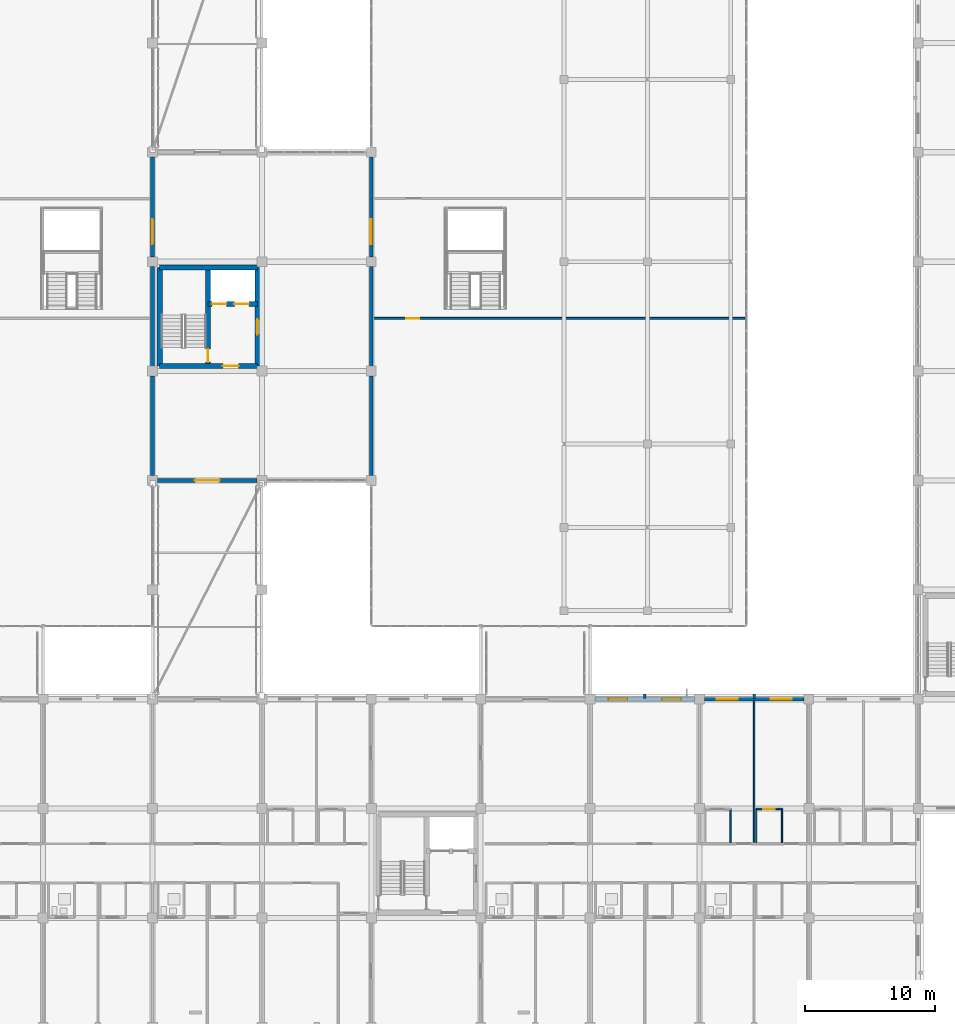
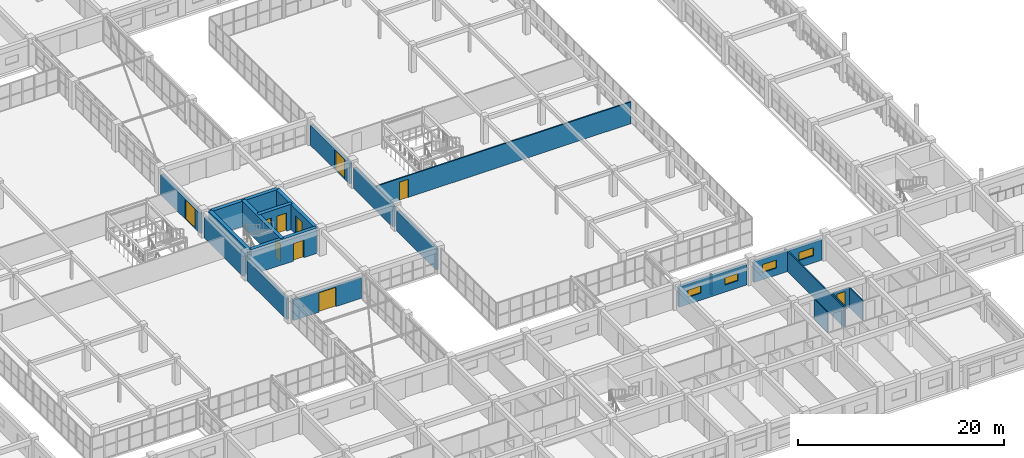
# One storey, part 171 of 200: 23 walls, 10 doors, 4 windows, 14 openings.
"""IFC4 building model written with IfcOpenShell, lengths in metres."""

from ifc_helpers import new_model, si_unit, direction, frame, frame_2d, origin, place, context, subcontext, project, spatial, rectangle, extrude, material, layer, layer_set, type_object, element, fill, save


model = new_model("IFC4")

# Units and contexts
model_context = context("Model", 3, precision=1e-05, world=origin(), true_north=direction((0.0, 1.0)))
body_context = subcontext(model_context, "Body", "Model", "MODEL_VIEW")
ifc_project = project(units=[si_unit("LENGTHUNIT", "METRE"), si_unit("AREAUNIT", "SQUARE_METRE"), si_unit("VOLUMEUNIT", "CUBIC_METRE"), si_unit("PLANEANGLEUNIT", "RADIAN"), si_unit("MASSUNIT", "GRAM", prefix="KILO")], contexts=[model_context])

# Site, building, storey
site_placement = place(None, origin())
site = spatial("IfcSite", under=ifc_project, at=site_placement, CompositionType="ELEMENT")
building_placement = place(site_placement, origin())
building = spatial("IfcBuilding", under=site, at=building_placement, Name="Trelvath General Hospital", CompositionType="ELEMENT")
storey_placement = place(building_placement, frame((0.0, 0.0, 4.800048828125)))
storey = spatial("IfcBuildingStorey", under=building, at=storey_placement, Name="L01", CompositionType="ELEMENT", Elevation=4.800048828125)

# Walls
ifc_material_1 = material(Name="Precast concrete C40/50", Category="concrete")
ifc_layer_1 = layer(ifc_material_1, 0.199951171875)
ifc_layer_set_1 = layer_set([ifc_layer_1], Name="Precast concrete C40/50")
wall_type_1 = type_object("IfcWallType", Name="BriseSoleilRib 200", PredefinedType="ELEMENTEDWALL", material=ifc_layer_set_1)
for number, where, z_axis, x_axis, name in (
    (1, (113.39990234375, 25.27490234375, 0.0), (0.0, 0.0, 1.0), (0.0, 1.0, 0.0), "Precast Concrete Brise-Soleil Rib Fin L01-120"),
    (2, (121.800048828125, 25.27490234375, 0.0), (0.0, 0.0, 1.0), (0.0, 1.0, 0.0), "Precast Concrete Brise-Soleil Rib Fin L01-124"),
):
    element("IfcWall", number, at=place(storey_placement, frame(where, z_axis=z_axis, x_axis=x_axis)), inside=storey, type_object=wall_type_1, Name=name, PredefinedType="ELEMENTEDWALL", context=body_context, shape_type="SweptSolid", body=[
        extrude(rectangle(XDim=0.340087890625, YDim=0.199951171875, at=frame_2d((0.169921875, 0.0))), origin(), (0.0, 0.0, 1.0), 2.39990234375),
    ])

# Wall, opening, door
ifc_material_2 = material(Name="Gypsum acoustic steel-stud partition", Category="steel")
ifc_layer_2 = layer(ifc_material_2, 0.14990234375)
ifc_layer_set_2 = layer_set([ifc_layer_2], Name="Gypsum acoustic steel-stud partition")
wall_type_2 = type_object("IfcWallType", Name="ClinicalPartition 150", PredefinedType="PARTITIONING", material=ifc_layer_set_2)
wall_1_placement = place(storey_placement, frame((92.5, 54.449951171875, 0.0), z_axis=(0.0, 0.0, 1.0), x_axis=(1.0, 0.0, 0.0)))
wall_1 = element("IfcWall", 3, at=wall_1_placement, inside=storey, type_object=wall_type_2, Name="Cube Clinic CUBE-E Partition L01-674", PredefinedType="PARTITIONING", context=body_context, shape_type="SweptSolid", body=[
    extrude(rectangle(XDim=28.60009765625, YDim=0.14990234375, at=frame_2d((14.300048828125, 0.0))), origin(), (0.0, 0.0, 1.0), 2.58984375),
])
opening_1_placement = place(wall_1_placement, frame((2.60009765625, 0.0, 0.0)))
opening_1 = element("IfcOpeningElement", 4, at=opening_1_placement, cuts=wall_1, Name="Opening DC-1-0624", PredefinedType="OPENING", context=body_context, shape_type="SweptSolid", body=[
    extrude(rectangle(XDim=1.0, YDim=2.14990234375, at=frame_2d((0.5, 1.074951171875))), frame((0.0, 0.0849609375, 0.0), z_axis=(0.0, -1.0, 0.0), x_axis=(1.0, 0.0, 0.0)), (0.0, 0.0, 1.0), 0.169921875),
])
ifc_material_3 = material(Name="Acoustic hospital timber leaf", Category="wood")
door_type_1 = type_object("IfcDoorType", Name="Door Consult 1000x2150", OperationType="NOTDEFINED", PredefinedType="DOOR", material=ifc_material_3)
door_1_placement = place(opening_1_placement, origin())
door_1 = element("IfcDoor", 5, at=door_1_placement, inside=storey, type_object=door_type_1, Name="Cube Clinic CUBE-E Door L01-624", OperationType="SINGLE_SWING_RIGHT", OverallHeight=2.14990234375, OverallWidth=1.0, PredefinedType="DOOR", context=body_context, shape_type="SweptSolid", body=[
    extrude(rectangle(XDim=1.0, YDim=2.14990234375, at=frame_2d((0.5, 1.074951171875))), frame((0.0, 0.02490234375, 0.0), z_axis=(0.0, -1.0, 0.0), x_axis=(1.0, 0.0, 0.0)), (0.0, 0.0, 1.0), 0.050048828125),
])
fill(opening_1, door_1)

ifc_material_4 = material(Name="Concrete C40/50", Category="concrete")
ifc_layer_3 = layer(ifc_material_4, 0.39990234375)
ifc_layer_set_3 = layer_set([ifc_layer_3], Name="Concrete C40/50")
wall_type_3 = type_object("IfcWallType", Name="CoreShearWall 400", PredefinedType="SHEAR", material=ifc_layer_set_3)
wall_2_placement = place(storey_placement, frame((76.14990234375, 50.800048828125, 0.0), z_axis=(0.0, 0.0, 1.0), x_axis=(1.0, 0.0, 0.0)))
wall_2 = element("IfcWall", 6, at=wall_2_placement, inside=storey, type_object=wall_type_3, Name="Core Shear Wall C6 S L01", PredefinedType="SHEAR", context=body_context, shape_type="SweptSolid", body=[
    extrude(rectangle(XDim=7.5, YDim=0.39990234375, at=frame_2d((3.75, 0.0))), origin(), (0.0, 0.0, 1.0), 3.02001953125),
])
opening_2_placement = place(wall_2_placement, frame((4.85009765625, 0.0, 0.0)))
opening_2 = element("IfcOpeningElement", 7, at=opening_2_placement, cuts=wall_2, Name="Opening FD-LS61", PredefinedType="OPENING", context=body_context, shape_type="SweptSolid", body=[
    extrude(rectangle(XDim=1.199951171875, YDim=2.10009765625, at=frame_2d((0.60009765625, 1.050048828125))), frame((0.0, 0.2099609375, 0.0), z_axis=(0.0, -1.0, 0.0), x_axis=(1.0, 0.0, 0.0)), (0.0, 0.0, 1.0), 0.419921875),
])
ifc_material_5 = material(Name="Fire-rated steel door", Category="steel")
door_type_2 = type_object("IfcDoorType", Name="Door FireLobby 1200x2100", OperationType="NOTDEFINED", PredefinedType="DOOR", material=ifc_material_5)
door_2_placement = place(opening_2_placement, origin())
door_2 = element("IfcDoor", 8, at=door_2_placement, inside=storey, type_object=door_type_2, Name="Fire Lobby South Concourse Door C6 L01", OperationType="SINGLE_SWING_RIGHT", OverallHeight=2.10009765625, OverallWidth=1.199951171875, PredefinedType="DOOR", context=body_context, shape_type="SweptSolid", body=[
    extrude(rectangle(XDim=1.199951171875, YDim=2.10009765625, at=frame_2d((0.60009765625, 1.050048828125))), frame((0.0, 0.02490234375, 0.0), z_axis=(0.0, -1.0, 0.0), x_axis=(1.0, 0.0, 0.0)), (0.0, 0.0, 1.0), 0.050048828125),
])
fill(opening_2, door_2)

# Walls
wall_3_placement = place(storey_placement, frame((76.14990234375, 58.35009765625, 0.0), z_axis=(0.0, 0.0, 1.0), x_axis=(1.0, 0.0, 0.0)))
element("IfcWall", 9, at=wall_3_placement, inside=storey, type_object=wall_type_3, Name="Core Shear Wall C6 N L01", PredefinedType="SHEAR", context=body_context, shape_type="SweptSolid", body=[
    extrude(rectangle(XDim=7.5, YDim=0.39990234375, at=frame_2d((3.75, 0.0))), origin(), (0.0, 0.0, 1.0), 3.02001953125),
])
wall_4_placement = place(storey_placement, frame((76.14990234375, 50.800048828125, 0.0), z_axis=(0.0, 0.0, 1.0), x_axis=(0.0, 1.0, 0.0)))
element("IfcWall", 10, at=wall_4_placement, inside=storey, type_object=wall_type_3, Name="Core Shear Wall C6 W L01", PredefinedType="SHEAR", context=body_context, shape_type="SweptSolid", body=[
    extrude(rectangle(XDim=7.550048828125, YDim=0.39990234375, at=frame_2d((3.77490234375, 0.0))), origin(), (0.0, 0.0, 1.0), 3.02001953125),
])

# Wall, opening, door
wall_5_placement = place(storey_placement, frame((83.64990234375, 50.800048828125, 0.0), z_axis=(0.0, 0.0, 1.0), x_axis=(0.0, 1.0, 0.0)))
wall_5 = element("IfcWall", 11, at=wall_5_placement, inside=storey, type_object=wall_type_3, Name="Core Shear Wall C6 E L01", PredefinedType="SHEAR", context=body_context, shape_type="SweptSolid", body=[
    extrude(rectangle(XDim=7.550048828125, YDim=0.39990234375, at=frame_2d((3.77490234375, 0.0))), origin(), (0.0, 0.0, 1.0), 3.02001953125),
])
opening_3_placement = place(wall_5_placement, frame((2.39990234375, 0.0, 0.0)))
opening_3 = element("IfcOpeningElement", 12, at=opening_3_placement, cuts=wall_5, Name="Opening FD-LE61", PredefinedType="OPENING", context=body_context, shape_type="SweptSolid", body=[
    extrude(rectangle(XDim=1.199951171875, YDim=2.199951171875, at=frame_2d((0.60009765625, 1.10009765625))), frame((0.0, 0.2099609375, 0.0), z_axis=(0.0, -1.0, 0.0), x_axis=(1.0, 0.0, 0.0)), (0.0, 0.0, 1.0), 0.419921875),
])
ifc_material_6 = material(Name="Fire-rated steel door", Category="steel")
door_type_3 = type_object("IfcDoorType", Name="Door FireLobby 1200x2200", OperationType="NOTDEFINED", PredefinedType="DOOR", material=ifc_material_6)
door_3_placement = place(opening_3_placement, origin())
door_3 = element("IfcDoor", 13, at=door_3_placement, inside=storey, type_object=door_type_3, Name="Fire Lobby East Corridor Door C6 L01", OperationType="SINGLE_SWING_LEFT", OverallHeight=2.199951171875, OverallWidth=1.199951171875, PredefinedType="DOOR", context=body_context, shape_type="SweptSolid", body=[
    extrude(rectangle(XDim=1.199951171875, YDim=2.199951171875, at=frame_2d((0.60009765625, 1.10009765625))), frame((0.0, 0.02490234375, 0.0), z_axis=(0.0, -1.0, 0.0), x_axis=(1.0, 0.0, 0.0)), (0.0, 0.0, 1.0), 0.050048828125),
])
fill(opening_3, door_3)

wall_6_placement = place(storey_placement, frame((79.85009765625, 50.800048828125, 0.0), z_axis=(0.0, 0.0, 1.0), x_axis=(0.0, 1.0, 0.0)))
wall_6 = element("IfcWall", 14, at=wall_6_placement, inside=storey, type_object=wall_type_3, Name="Core Shear Wall C6 SPINE L01", PredefinedType="SHEAR", context=body_context, shape_type="SweptSolid", body=[
    extrude(rectangle(XDim=7.550048828125, YDim=0.39990234375, at=frame_2d((3.77490234375, 0.0))), origin(), (0.0, 0.0, 1.0), 3.02001953125),
])
opening_4_placement = place(wall_6_placement, frame((0.280029296875, 0.0, 0.0)))
opening_4 = element("IfcOpeningElement", 15, at=opening_4_placement, cuts=wall_6, Name="Opening FD-S61", PredefinedType="OPENING", context=body_context, shape_type="SweptSolid", body=[
    extrude(rectangle(XDim=1.0, YDim=2.14990234375, at=frame_2d((0.5, 1.074951171875))), frame((0.0, 0.2099609375, 0.0), z_axis=(0.0, -1.0, 0.0), x_axis=(1.0, 0.0, 0.0)), (0.0, 0.0, 1.0), 0.419921875),
])
ifc_material_7 = material(Name="Fire-rated steel door", Category="steel")
door_type_4 = type_object("IfcDoorType", Name="Door FireStair 1100x2150", OperationType="NOTDEFINED", PredefinedType="DOOR", material=ifc_material_7)
door_4_placement = place(opening_4_placement, origin())
door_4 = element("IfcDoor", 16, at=door_4_placement, inside=storey, type_object=door_type_4, Name="Exit Stair Door ST6 L01", OperationType="SINGLE_SWING_LEFT", OverallHeight=2.14990234375, OverallWidth=1.0, PredefinedType="DOOR", context=body_context, shape_type="SweptSolid", body=[
    extrude(rectangle(XDim=1.0, YDim=2.14990234375, at=frame_2d((0.5, 1.074951171875))), frame((0.0, 0.02490234375, 0.0), z_axis=(0.0, -1.0, 0.0), x_axis=(1.0, 0.0, 0.0)), (0.0, 0.0, 1.0), 0.050048828125),
])
fill(opening_4, door_4)

# Wall, openings, doors
wall_7_placement = place(storey_placement, frame((79.85009765625, 55.550048828125, 0.0), z_axis=(0.0, 0.0, 1.0), x_axis=(1.0, 0.0, 0.0)))
wall_7 = element("IfcWall", 17, at=wall_7_placement, inside=storey, type_object=wall_type_3, Name="Core Shear Wall C6 SHAFT L01", PredefinedType="SHEAR", context=body_context, shape_type="SweptSolid", body=[
    extrude(rectangle(XDim=3.7998046875, YDim=0.39990234375, at=frame_2d((1.89990234375, 0.0))), origin(), (0.0, 0.0, 1.0), 3.02001953125),
])
opening_5_placement = place(wall_7_placement, frame((0.320068359375, 0.0, 0.0)))
opening_5 = element("IfcOpeningElement", 18, at=opening_5_placement, cuts=wall_7, Name="Opening LD-PA3-1", PredefinedType="OPENING", context=body_context, shape_type="SweptSolid", body=[
    extrude(rectangle(XDim=1.10009765625, YDim=2.14990234375, at=frame_2d((0.550048828125, 1.074951171875))), frame((0.0, 0.2099609375, 0.0), z_axis=(0.0, -1.0, 0.0), x_axis=(1.0, 0.0, 0.0)), (0.0, 0.0, 1.0), 0.419921875),
])
opening_6_placement = place(wall_7_placement, frame((2.0400390625, 0.0, 0.0)))
opening_6 = element("IfcOpeningElement", 19, at=opening_6_placement, cuts=wall_7, Name="Opening LD-PA4-1", PredefinedType="OPENING", context=body_context, shape_type="SweptSolid", body=[
    extrude(rectangle(XDim=1.10009765625, YDim=2.14990234375, at=frame_2d((0.550048828125, 1.074951171875))), frame((0.0, 0.2099609375, 0.0), z_axis=(0.0, -1.0, 0.0), x_axis=(1.0, 0.0, 0.0)), (0.0, 0.0, 1.0), 0.419921875),
])
ifc_material_8 = material(Name="Stainless steel lift landing sliding door", Category="steel")
door_type_5 = type_object("IfcDoorType", Name="Door LiftLanding 1100x2150", OperationType="SLIDING_TO_LEFT", PredefinedType="DOOR", material=ifc_material_8)
door_5_placement = place(opening_5_placement, origin())
door_5 = element("IfcDoor", 20, at=door_5_placement, inside=storey, type_object=door_type_5, Name="Lift Landing Sliding Door LF-PA3 L01", OperationType="SLIDING_TO_LEFT", OverallHeight=2.14990234375, OverallWidth=1.10009765625, PredefinedType="DOOR", context=body_context, shape_type="SweptSolid", body=[
    extrude(rectangle(XDim=1.10009765625, YDim=2.14990234375, at=frame_2d((0.550048828125, 1.074951171875))), frame((0.0, 0.02490234375, 0.0), z_axis=(0.0, -1.0, 0.0), x_axis=(1.0, 0.0, 0.0)), (0.0, 0.0, 1.0), 0.050048828125),
])
fill(opening_5, door_5)
door_6_placement = place(opening_6_placement, origin())
door_6 = element("IfcDoor", 21, at=door_6_placement, inside=storey, type_object=door_type_5, Name="Lift Landing Sliding Door LF-PA4 L01", OperationType="SLIDING_TO_LEFT", OverallHeight=2.14990234375, OverallWidth=1.10009765625, PredefinedType="DOOR", context=body_context, shape_type="SweptSolid", body=[
    extrude(rectangle(XDim=1.10009765625, YDim=2.14990234375, at=frame_2d((0.550048828125, 1.074951171875))), frame((0.0, 0.02490234375, 0.0), z_axis=(0.0, -1.0, 0.0), x_axis=(1.0, 0.0, 0.0)), (0.0, 0.0, 1.0), 0.050048828125),
])
fill(opening_6, door_6)

# Walls
ifc_material_9 = material(Name="Moisture-resistant tile partition")
ifc_layer_4 = layer(ifc_material_9, 0.110107421875)
ifc_layer_set_4 = layer_set([ifc_layer_4], Name="Moisture-resistant tile partition")
wall_type_4 = type_object("IfcWallType", Name="EnSuiteWetWall 110", PredefinedType="PARTITIONING", material=ifc_layer_set_4)
for number, where, z_axis, x_axis, name in (
    (22, (120.0, 14.169921875, 0.0), (0.0, 0.0, 1.0), (0.0, 1.0, 0.0), "En-Suite E Wall N L01-491"),
    (23, (121.9599609375, 14.169921875, 0.0), (0.0, 0.0, 1.0), (0.0, 1.0, 0.0), "En-Suite W Wall N L01-493"),
    (24, (123.93994140625, 14.169921875, 0.0), (0.0, 0.0, 1.0), (0.0, 1.0, 0.0), "En-Suite E Wall N L01-494"),
):
    element("IfcWall", number, at=place(storey_placement, frame(where, z_axis=z_axis, x_axis=x_axis)), inside=storey, type_object=wall_type_4, Name=name, PredefinedType="PARTITIONING", context=body_context, shape_type="SweptSolid", body=[
        extrude(rectangle(XDim=2.610107421875, YDim=0.110107421875, at=frame_2d((1.30517578125, 0.0))), origin(), (0.0, 0.0, 1.0), 2.39990234375),
    ])

# Wall, opening, door
wall_8_placement = place(storey_placement, frame((121.9599609375, 16.780029296875, 0.0), z_axis=(0.0, 0.0, 1.0), x_axis=(1.0, 0.0, 0.0)))
wall_8 = element("IfcWall", 25, at=wall_8_placement, inside=storey, type_object=wall_type_4, Name="En-Suite Bathroom N Partition L01-495", PredefinedType="PARTITIONING", context=body_context, shape_type="SweptSolid", body=[
    extrude(rectangle(XDim=1.97998046875, YDim=0.110107421875, at=frame_2d((0.989990234375, 0.0))), origin(), (0.0, 0.0, 1.0), 2.39990234375),
])
opening_7_placement = place(wall_8_placement, frame((0.5400390625, 0.0, 0.0)))
opening_7 = element("IfcOpeningElement", 26, at=opening_7_placement, cuts=wall_8, Name="Opening D-1-0531", PredefinedType="OPENING", context=body_context, shape_type="SweptSolid", body=[
    extrude(rectangle(XDim=0.89990234375, YDim=2.10009765625, at=frame_2d((0.449951171875, 1.050048828125))), frame((0.0, 0.06494140625, 0.0), z_axis=(0.0, -1.0, 0.0), x_axis=(1.0, 0.0, 0.0)), (0.0, 0.0, 1.0), 0.130126953125),
])
ifc_material_10 = material(Name="Moisture-sealed timber leaf", Category="wood")
door_type_6 = type_object("IfcDoorType", Name="Door EnSuite 900x2100", OperationType="NOTDEFINED", PredefinedType="DOOR", material=ifc_material_10)
door_7_placement = place(opening_7_placement, origin())
door_7 = element("IfcDoor", 27, at=door_7_placement, inside=storey, type_object=door_type_6, Name="En-Suite Bathroom N Door L01-531", OperationType="SINGLE_SWING_RIGHT", OverallHeight=2.10009765625, OverallWidth=0.89990234375, PredefinedType="DOOR", context=body_context, shape_type="SweptSolid", body=[
    extrude(rectangle(XDim=0.89990234375, YDim=2.10009765625, at=frame_2d((0.449951171875, 1.050048828125))), frame((0.0, 0.02490234375, 0.0), z_axis=(0.0, -1.0, 0.0), x_axis=(1.0, 0.0, 0.0)), (0.0, 0.0, 1.0), 0.050048828125),
])
fill(opening_7, door_7)

ifc_material_11 = material(Name="Concrete C35/45", Category="concrete")
ifc_layer_5 = layer(ifc_material_11, 0.2900390625)
ifc_layer_set_5 = layer_set([ifc_layer_5], Name="Concrete C35/45")
wall_type_5 = type_object("IfcWallType", Name="ExtBushHammeredWall 290", PredefinedType="SOLIDWALL", material=ifc_layer_set_5)
wall_9_placement = place(storey_placement, frame((83.6298828125, 42.0, 0.0), z_axis=(0.0, 0.0, 1.0), x_axis=(-1.0, 0.0, 0.0)))
wall_9 = element("IfcWall", 28, at=wall_9_placement, inside=storey, type_object=wall_type_5, Name="Bridge Portal Wall BRG-S-C L01", PredefinedType="SOLIDWALL", context=body_context, shape_type="SweptSolid", body=[
    extrude(rectangle(XDim=7.659912109375, YDim=0.2900390625, at=frame_2d((3.830078125, 0.0))), origin(), (0.0, 0.0, 1.0), 2.419921875),
])
opening_8_placement = place(wall_9_placement, frame((2.8798828125, 0.0, 0.0)))
opening_8 = element("IfcOpeningElement", 29, at=opening_8_placement, cuts=wall_9, Name="Opening BP-1-035", PredefinedType="OPENING", context=body_context, shape_type="SweptSolid", body=[
    extrude(rectangle(XDim=1.89990234375, YDim=2.300048828125, at=frame_2d((0.949951171875, 1.14990234375))), frame((0.0, 0.155029296875, 0.0), z_axis=(0.0, -1.0, 0.0), x_axis=(1.0, 0.0, 0.0)), (0.0, 0.0, 1.0), 0.31005859375),
])
ifc_material_12 = material(Name="Thermally broken glazed aluminium pair", Category="aluminium")
door_type_7 = type_object("IfcDoorType", Name="Door BridgeEntry 1900x2400", OperationType="DOUBLE_SWING_LEFT", PredefinedType="DOOR", material=ifc_material_12)
door_8_placement = place(opening_8_placement, origin())
door_8 = element("IfcDoor", 30, at=door_8_placement, inside=storey, type_object=door_type_7, Name="Glazed Bridge Portal Door BRG-S-C L01", OperationType="DOUBLE_SWING_LEFT", OverallHeight=2.300048828125, OverallWidth=1.89990234375, PredefinedType="DOOR", context=body_context, shape_type="SweptSolid", body=[
    extrude(rectangle(XDim=1.89990234375, YDim=2.300048828125, at=frame_2d((0.949951171875, 1.14990234375))), frame((0.0, 0.02490234375, 0.0), z_axis=(0.0, -1.0, 0.0), x_axis=(1.0, 0.0, 0.0)), (0.0, 0.0, 1.0), 0.050048828125),
])
fill(opening_8, door_8)

# Walls
for number, where, z_axis, x_axis, name in (
    (31, (75.60009765625, 42.3701171875, 0.0), (0.0, 0.0, 1.0), (0.0, 1.0, 0.0), "Exterior Concrete Wall L01-157"),
    (32, (75.60009765625, 50.77001953125, 0.0), (0.0, 0.0, 1.0), (0.0, 1.0, 0.0), "Exterior Concrete Wall L01-158"),
):
    element("IfcWall", number, at=place(storey_placement, frame(where, z_axis=z_axis, x_axis=x_axis)), inside=storey, type_object=wall_type_5, Name=name, PredefinedType="SOLIDWALL", context=body_context, shape_type="SweptSolid", body=[
        extrude(rectangle(XDim=7.659912109375, YDim=0.2900390625, at=frame_2d((3.830078125, 0.0))), origin(), (0.0, 0.0, 1.0), 2.419921875),
    ])

# Wall, opening, door
wall_10_placement = place(storey_placement, frame((75.60009765625, 59.169921875, 0.0), z_axis=(0.0, 0.0, 1.0), x_axis=(0.0, 1.0, 0.0)))
wall_10 = element("IfcWall", 33, at=wall_10_placement, inside=storey, type_object=wall_type_5, Name="Exterior Concrete Wall L01-160", PredefinedType="SOLIDWALL", context=body_context, shape_type="SweptSolid", body=[
    extrude(rectangle(XDim=7.66015625, YDim=0.2900390625, at=frame_2d((3.830078125, 0.0))), origin(), (0.0, 0.0, 1.0), 2.419921875),
])
opening_9_placement = place(wall_10_placement, frame((0.97998046875, 0.0, 0.0)))
opening_9 = element("IfcOpeningElement", 34, at=opening_9_placement, cuts=wall_10, Name="Opening CP-1-037", PredefinedType="OPENING", context=body_context, shape_type="SweptSolid", body=[
    extrude(rectangle(XDim=1.89990234375, YDim=2.320068359375, at=frame_2d((0.949951171875, 1.16015625))), frame((0.0, 0.155029296875, 0.0), z_axis=(0.0, -1.0, 0.0), x_axis=(1.0, 0.0, 0.0)), (0.0, 0.0, 1.0), 0.31005859375),
])
door_9_placement = place(opening_9_placement, origin())
door_9 = element("IfcDoor", 35, at=door_9_placement, inside=storey, type_object=door_type_7, Name="Crystal Cube Concourse Portal Door L01-37", OperationType="DOUBLE_SWING_LEFT", OverallHeight=2.320068359375, OverallWidth=1.89990234375, PredefinedType="DOOR", context=body_context, shape_type="SweptSolid", body=[
    extrude(rectangle(XDim=1.89990234375, YDim=2.320068359375, at=frame_2d((0.949951171875, 1.16015625))), frame((0.0, 0.02490234375, 0.0), z_axis=(0.0, -1.0, 0.0), x_axis=(1.0, 0.0, 0.0)), (0.0, 0.0, 1.0), 0.050048828125),
])
fill(opening_9, door_9)

# Walls
for number, where, z_axis, x_axis, name in (
    (36, (92.39990234375, 50.030029296875, 0.0), (0.0, 0.0, 1.0), (0.0, -1.0, 0.0), "Exterior Concrete Wall L01-165"),
    (37, (92.39990234375, 58.429931640625, 0.0), (0.0, 0.0, 1.0), (0.0, -1.0, 0.0), "Exterior Concrete Wall L01-166"),
):
    element("IfcWall", number, at=place(storey_placement, frame(where, z_axis=z_axis, x_axis=x_axis)), inside=storey, type_object=wall_type_5, Name=name, PredefinedType="SOLIDWALL", context=body_context, shape_type="SweptSolid", body=[
        extrude(rectangle(XDim=7.659912109375, YDim=0.2900390625, at=frame_2d((3.830078125, 0.0))), origin(), (0.0, 0.0, 1.0), 2.419921875),
    ])

# Wall, opening, door
wall_11_placement = place(storey_placement, frame((92.39990234375, 66.830078125, 0.0), z_axis=(0.0, 0.0, 1.0), x_axis=(0.0, -1.0, 0.0)))
wall_11 = element("IfcWall", 38, at=wall_11_placement, inside=storey, type_object=wall_type_5, Name="Exterior Concrete Wall L01-167", PredefinedType="SOLIDWALL", context=body_context, shape_type="SweptSolid", body=[
    extrude(rectangle(XDim=7.66015625, YDim=0.2900390625, at=frame_2d((3.830078125, 0.0))), origin(), (0.0, 0.0, 1.0), 2.419921875),
])
opening_10_placement = place(wall_11_placement, frame((4.780029296875, 0.0, 0.0)))
opening_10 = element("IfcOpeningElement", 39, at=opening_10_placement, cuts=wall_11, Name="Opening CP-1-039", PredefinedType="OPENING", context=body_context, shape_type="SweptSolid", body=[
    extrude(rectangle(XDim=1.89990234375, YDim=2.320068359375, at=frame_2d((0.949951171875, 1.16015625))), frame((0.0, 0.155029296875, 0.0), z_axis=(0.0, -1.0, 0.0), x_axis=(1.0, 0.0, 0.0)), (0.0, 0.0, 1.0), 0.31005859375),
])
door_10_placement = place(opening_10_placement, origin())
door_10 = element("IfcDoor", 40, at=door_10_placement, inside=storey, type_object=door_type_7, Name="Crystal Cube Concourse Portal Door L01-39", OperationType="DOUBLE_SWING_LEFT", OverallHeight=2.320068359375, OverallWidth=1.89990234375, PredefinedType="DOOR", context=body_context, shape_type="SweptSolid", body=[
    extrude(rectangle(XDim=1.89990234375, YDim=2.320068359375, at=frame_2d((0.949951171875, 1.16015625))), frame((0.0, 0.02490234375, 0.0), z_axis=(0.0, -1.0, 0.0), x_axis=(1.0, 0.0, 0.0)), (0.0, 0.0, 1.0), 0.050048828125),
])
fill(opening_10, door_10)

# Wall, openings, windows
wall_12_placement = place(storey_placement, frame((109.570068359375, 25.199951171875, 0.0), z_axis=(0.0, 0.0, 1.0), x_axis=(1.0, 0.0, 0.0)))
wall_12 = element("IfcWall", 41, at=wall_12_placement, inside=storey, type_object=wall_type_5, Name="Exterior Concrete Wall L01-177", PredefinedType="SOLIDWALL", context=body_context, shape_type="SweptSolid", body=[
    extrude(rectangle(XDim=7.659912109375, YDim=0.2900390625, at=frame_2d((3.830078125, 0.0))), origin(), (0.0, 0.0, 1.0), 2.419921875),
])
opening_11_placement = place(wall_12_placement, frame((1.03173828125, 0.0, 0.85009765625)))
opening_11 = element("IfcOpeningElement", 42, at=opening_11_placement, cuts=wall_12, Name="Opening WN-1-255", PredefinedType="OPENING", context=body_context, shape_type="SweptSolid", body=[
    extrude(rectangle(XDim=1.4599609375, YDim=0.85009765625, at=frame_2d((0.72998046875, 0.425048828125))), frame((0.0, 0.155029296875, 0.0), z_axis=(0.0, -1.0, 0.0), x_axis=(1.0, 0.0, 0.0)), (0.0, 0.0, 1.0), 0.31005859375),
])
opening_12_placement = place(wall_12_placement, frame((5.168212890625, 0.0, 0.85009765625)))
opening_12 = element("IfcOpeningElement", 43, at=opening_12_placement, cuts=wall_12, Name="Opening WN-1-256", PredefinedType="OPENING", context=body_context, shape_type="SweptSolid", body=[
    extrude(rectangle(XDim=1.4599609375, YDim=0.85009765625, at=frame_2d((0.72998046875, 0.425048828125))), frame((0.0, 0.155029296875, 0.0), z_axis=(0.0, -1.0, 0.0), x_axis=(1.0, 0.0, 0.0)), (0.0, 0.0, 1.0), 0.31005859375),
])
ifc_material_13 = material(Name="Low-E laminated glass", Category="glass")
window_type_1 = type_object("IfcWindowType", Name="Window ImagingClere 1460x850", PartitioningType="DOUBLE_PANEL_VERTICAL", PredefinedType="WINDOW", material=ifc_material_13)
window_1_placement = place(opening_11_placement, origin())
window_1 = element("IfcWindow", 44, at=window_1_placement, inside=storey, type_object=window_type_1, Name="Solar Reveal Window L01-255", OverallHeight=0.85009765625, OverallWidth=1.4599609375, PartitioningType="SINGLE_PANEL", PredefinedType="WINDOW", context=body_context, shape_type="SweptSolid", body=[
    extrude(rectangle(XDim=1.4599609375, YDim=0.85009765625, at=frame_2d((0.72998046875, 0.425048828125))), frame((0.0, 0.030029296875, 0.0), z_axis=(0.0, -1.0, 0.0), x_axis=(1.0, 0.0, 0.0)), (0.0, 0.0, 1.0), 0.06005859375),
])
fill(opening_11, window_1)
window_2_placement = place(opening_12_placement, origin())
window_2 = element("IfcWindow", 45, at=window_2_placement, inside=storey, type_object=window_type_1, Name="Solar Reveal Window L01-256", OverallHeight=0.85009765625, OverallWidth=1.4599609375, PartitioningType="SINGLE_PANEL", PredefinedType="WINDOW", context=body_context, shape_type="SweptSolid", body=[
    extrude(rectangle(XDim=1.4599609375, YDim=0.85009765625, at=frame_2d((0.72998046875, 0.425048828125))), frame((0.0, 0.030029296875, 0.0), z_axis=(0.0, -1.0, 0.0), x_axis=(1.0, 0.0, 0.0)), (0.0, 0.0, 1.0), 0.06005859375),
])
fill(opening_12, window_2)

wall_13_placement = place(storey_placement, frame((117.969970703125, 25.199951171875, 0.0), z_axis=(0.0, 0.0, 1.0), x_axis=(1.0, 0.0, 0.0)))
wall_13 = element("IfcWall", 46, at=wall_13_placement, inside=storey, type_object=wall_type_5, Name="Exterior Concrete Wall L01-181", PredefinedType="SOLIDWALL", context=body_context, shape_type="SweptSolid", body=[
    extrude(rectangle(XDim=7.659912109375, YDim=0.2900390625, at=frame_2d((3.830078125, 0.0))), origin(), (0.0, 0.0, 1.0), 2.419921875),
])
opening_13_placement = place(wall_13_placement, frame((0.951904296875, 0.0, 0.85009765625)))
opening_13 = element("IfcOpeningElement", 47, at=opening_13_placement, cuts=wall_13, Name="Opening WN-1-263", PredefinedType="OPENING", context=body_context, shape_type="SweptSolid", body=[
    extrude(rectangle(XDim=1.6201171875, YDim=0.949951171875, at=frame_2d((0.81005859375, 0.47509765625))), frame((0.0, 0.155029296875, 0.0), z_axis=(0.0, -1.0, 0.0), x_axis=(1.0, 0.0, 0.0)), (0.0, 0.0, 1.0), 0.31005859375),
])
opening_14_placement = place(wall_13_placement, frame((5.088134765625, 0.0, 0.85009765625)))
opening_14 = element("IfcOpeningElement", 48, at=opening_14_placement, cuts=wall_13, Name="Opening WN-1-264", PredefinedType="OPENING", context=body_context, shape_type="SweptSolid", body=[
    extrude(rectangle(XDim=1.6201171875, YDim=0.949951171875, at=frame_2d((0.81005859375, 0.47509765625))), frame((0.0, 0.155029296875, 0.0), z_axis=(0.0, -1.0, 0.0), x_axis=(1.0, 0.0, 0.0)), (0.0, 0.0, 1.0), 0.31005859375),
])
ifc_material_14 = material(Name="Low-E laminated glass", Category="glass")
window_type_2 = type_object("IfcWindowType", Name="Window EmergencyClere 1620x950", PartitioningType="DOUBLE_PANEL_VERTICAL", PredefinedType="WINDOW", material=ifc_material_14)
window_3_placement = place(opening_13_placement, origin())
window_3 = element("IfcWindow", 49, at=window_3_placement, inside=storey, type_object=window_type_2, Name="Solar Reveal Window L01-263", OverallHeight=0.949951171875, OverallWidth=1.6201171875, PartitioningType="SINGLE_PANEL", PredefinedType="WINDOW", context=body_context, shape_type="SweptSolid", body=[
    extrude(rectangle(XDim=1.6201171875, YDim=0.949951171875, at=frame_2d((0.81005859375, 0.47509765625))), frame((0.0, 0.030029296875, 0.0), z_axis=(0.0, -1.0, 0.0), x_axis=(1.0, 0.0, 0.0)), (0.0, 0.0, 1.0), 0.06005859375),
])
fill(opening_13, window_3)
window_4_placement = place(opening_14_placement, origin())
window_4 = element("IfcWindow", 50, at=window_4_placement, inside=storey, type_object=window_type_2, Name="Solar Reveal Window L01-264", OverallHeight=0.949951171875, OverallWidth=1.6201171875, PartitioningType="SINGLE_PANEL", PredefinedType="WINDOW", context=body_context, shape_type="SweptSolid", body=[
    extrude(rectangle(XDim=1.6201171875, YDim=0.949951171875, at=frame_2d((0.81005859375, 0.47509765625))), frame((0.0, 0.030029296875, 0.0), z_axis=(0.0, -1.0, 0.0), x_axis=(1.0, 0.0, 0.0)), (0.0, 0.0, 1.0), 0.06005859375),
])
fill(opening_14, window_4)

# Wall
ifc_material_15 = material(Name="Gypsum acoustic steel-stud partition", Category="steel")
ifc_layer_6 = layer(ifc_material_15, 0.1298828125)
ifc_layer_set_6 = layer_set([ifc_layer_6], Name="Gypsum acoustic steel-stud partition")
wall_type_6 = type_object("IfcWallType", Name="WardPartition 130", PredefinedType="PARTITIONING", material=ifc_layer_set_6)
wall_14_placement = place(storey_placement, frame((121.800048828125, 14.169921875, 0.0), z_axis=(0.0, 0.0, 1.0), x_axis=(0.0, 1.0, 0.0)))
element("IfcWall", 51, at=wall_14_placement, inside=storey, type_object=wall_type_6, Name="Room Dividing Partition N L01-489", PredefinedType="PARTITIONING", context=body_context, shape_type="SweptSolid", body=[
    extrude(rectangle(XDim=10.93017578125, YDim=0.1298828125, at=frame_2d((5.465087890625, 0.0))), origin(), (0.0, 0.0, 1.0), 2.39990234375),
])

save(model, "model.ifc")
